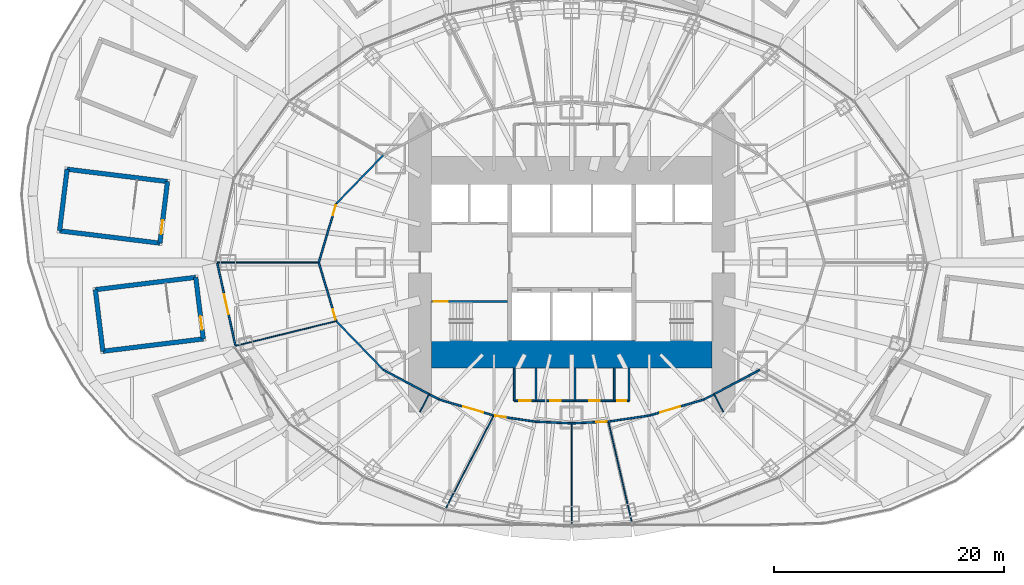
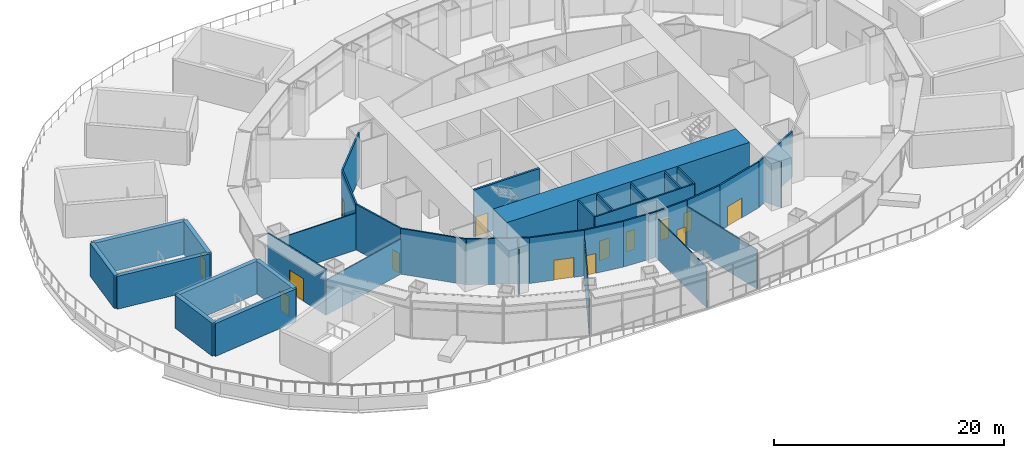
# One storey, part 16 of 25: 36 walls, 14 doors, 14 openings.
"""IFC4 building model written with IfcOpenShell, lengths in metres."""

from ifc_helpers import new_model, si_unit, direction, frame, frame_2d, origin, place, context, subcontext, project, spatial, rectangle, extrude, material, layer, layer_set, type_object, element, fill, save


model = new_model("IFC4")

# Units and contexts
model_context = context("Model", 3, precision=1e-05, world=origin(), true_north=direction((0.0, 1.0)))
body_context = subcontext(model_context, "Body", "Model", "MODEL_VIEW")
ifc_project = project(units=[si_unit("LENGTHUNIT", "METRE"), si_unit("AREAUNIT", "SQUARE_METRE"), si_unit("VOLUMEUNIT", "CUBIC_METRE"), si_unit("PLANEANGLEUNIT", "RADIAN"), si_unit("MASSUNIT", "GRAM", prefix="KILO")], contexts=[model_context])

# Site, building, storey
site_placement = place(None, origin())
site = spatial("IfcSite", under=ifc_project, at=site_placement, CompositionType="ELEMENT")
building_placement = place(site_placement, origin())
building = spatial("IfcBuilding", under=site, at=building_placement, Name="Lantaw Convention Tower", CompositionType="ELEMENT")
storey_placement = place(building_placement, frame((0.0, 0.0, 32.0)))
storey = spatial("IfcBuildingStorey", under=building, at=storey_placement, Name="L05", CompositionType="ELEMENT", Elevation=32.0)

# Wall, opening, door
ifc_material_1 = material(Name="Concrete C60/75", Category="concrete")
ifc_layer_1 = layer(ifc_material_1, 0.199951171875)
ifc_layer_set_1 = layer_set([ifc_layer_1], Name="Core wall 200")
wall_type_1 = type_object("IfcWallType", Name="Core wall 200", PredefinedType="SHEAR", material=ifc_layer_set_1)
wall_1_placement = place(storey_placement, frame((-5.60009765625, -3.39990234375, 0.0), z_axis=(0.0, 0.0, 1.0), x_axis=(-1.0, 0.0, 0.0)))
wall_1 = element("IfcWall", 1, at=wall_1_placement, inside=storey, type_object=wall_type_1, Name="Core wall WS", PredefinedType="SHEAR", context=body_context, shape_type="SweptSolid", body=[
    extrude(rectangle(XDim=6.599853515625, YDim=0.199951171875, at=frame_2d((3.2998046875, 0.0))), origin(), (0.0, 0.0, 1.0), 5.0),
])
opening_1_placement = place(wall_1_placement, frame((5.199951171875, 0.0, 0.0)))
opening_1 = element("IfcOpeningElement", 2, at=opening_1_placement, cuts=wall_1, Name="Opening L05.04", PredefinedType="OPENING", context=body_context, shape_type="SweptSolid", body=[
    extrude(rectangle(XDim=1.199951171875, YDim=2.10009765625, at=frame_2d((0.60009765625, 1.050048828125))), frame((0.0, 0.10986328125, 0.0), z_axis=(0.0, -1.0, 0.0), x_axis=(1.0, 0.0, 0.0)), (0.0, 0.0, 1.0), 0.219970703125),
])
ifc_material_2 = material(Name="Steel, fire rated", Category="steel")
door_type_1 = type_object("IfcDoorType", Name="Stair door FD90", OperationType="SINGLE_SWING_RIGHT", PredefinedType="DOOR", material=ifc_material_2)
door_1_placement = place(opening_1_placement, origin())
door_1 = element("IfcDoor", 3, at=door_1_placement, inside=storey, type_object=door_type_1, Name="Exit stair door", OperationType="SINGLE_SWING_RIGHT", OverallHeight=2.10009765625, OverallWidth=1.199951171875, PredefinedType="DOOR", context=body_context, shape_type="SweptSolid", body=[
    extrude(rectangle(XDim=1.199951171875, YDim=2.10009765625, at=frame_2d((0.60009765625, 1.050048828125))), frame((0.0, 0.02490234375, 0.0), z_axis=(0.0, -1.0, 0.0), x_axis=(1.0, 0.0, 0.0)), (0.0, 0.0, 1.0), 0.050048828125),
])
fill(opening_1, door_1)

# Walls
ifc_layer_2 = layer(ifc_material_1, 2.39990234375)
ifc_layer_set_2 = layer_set([ifc_layer_2], Name="Core wall 2400")
wall_type_2 = type_object("IfcWallType", Name="Core wall 2400", PredefinedType="SHEAR", material=ifc_layer_set_2)
wall_2_placement = place(storey_placement, frame((-12.199951171875, -8.0, 0.0), z_axis=(0.0, 0.0, 1.0), x_axis=(1.0, 0.0, 0.0)))
element("IfcWall", 4, at=wall_2_placement, inside=storey, type_object=wall_type_2, Name="Core wall S", PredefinedType="SHEAR", context=body_context, shape_type="SweptSolid", body=[
    extrude(rectangle(XDim=24.39990234375, YDim=2.39990234375, at=frame_2d((12.199951171875, 0.0))), origin(), (0.0, 0.0, 1.0), 5.0),
])
ifc_material_3 = material(Name="Gypsum board on steel studs, fire rated", Category="steel")
ifc_layer_3 = layer(ifc_material_3, 0.14990234375)
ifc_layer_set_3 = layer_set([ifc_layer_3], Name="Corridor wall 150 EI 60")
wall_type_3 = type_object("IfcWallType", Name="Corridor wall 150 EI 60", PredefinedType="PARTITIONING", material=ifc_layer_set_3)
wall_3_placement = place(storey_placement, frame((-16.369140625, 9.353759765625, 0.0), z_axis=(0.0, 0.0, 1.0), x_axis=(-0.695871090686, -0.71816671125, 0.0)))
element("IfcWall", 5, at=wall_3_placement, inside=storey, type_object=wall_type_3, Name="Corridor wall 150", PredefinedType="PARTITIONING", context=body_context, shape_type="SweptSolid", body=[
    extrude(rectangle(XDim=5.9130859375, YDim=0.14990234375, at=frame_2d((2.95654296875, 0.0))), origin(), (0.0, 0.0, 1.0), 4.85009765625),
])

# Wall, opening, door
wall_4_placement = place(storey_placement, frame((-20.48388671875, 5.107177734375, 0.0), z_axis=(0.0, 0.0, 1.0), x_axis=(-0.284584469409, -0.95865096869, 0.0)))
wall_4 = element("IfcWall", 6, at=wall_4_placement, inside=storey, type_object=wall_type_3, Name="Corridor wall 150", PredefinedType="PARTITIONING", context=body_context, shape_type="SweptSolid", body=[
    extrude(rectangle(XDim=5.327392578125, YDim=0.14990234375, at=frame_2d((2.66357421875, 0.0))), origin(), (0.0, 0.0, 1.0), 4.85009765625),
])
opening_2_placement = place(wall_4_placement, frame((0.14990234375, 0.0, 0.0)))
opening_2 = element("IfcOpeningElement", 7, at=opening_2_placement, cuts=wall_4, Name="Opening L05.28", PredefinedType="OPENING", context=body_context, shape_type="SweptSolid", body=[
    extrude(rectangle(XDim=0.89990234375, YDim=2.10009765625, at=frame_2d((0.449951171875, 1.050048828125))), frame((0.0, 0.0849609375, 0.0), z_axis=(0.0, -1.0, 0.0), x_axis=(1.0, 0.0, 0.0)), (0.0, 0.0, 1.0), 0.169921875),
])
door_type_2 = type_object("IfcDoorType", Name="Office door 900 FD30", OperationType="SINGLE_SWING_LEFT", PredefinedType="DOOR", material=ifc_material_2)
door_2_placement = place(opening_2_placement, origin())
door_2 = element("IfcDoor", 8, at=door_2_placement, inside=storey, type_object=door_type_2, Name="Spa treatment room door", OperationType="SINGLE_SWING_LEFT", OverallHeight=2.10009765625, OverallWidth=0.89990234375, PredefinedType="DOOR", context=body_context, shape_type="SweptSolid", body=[
    extrude(rectangle(XDim=0.89990234375, YDim=2.10009765625, at=frame_2d((0.449951171875, 1.050048828125))), frame((0.0, 0.02490234375, 0.0), z_axis=(0.0, -1.0, 0.0), x_axis=(1.0, 0.0, 0.0)), (0.0, 0.0, 1.0), 0.050048828125),
])
fill(opening_2, door_2)

wall_5_placement = place(storey_placement, frame((-22.0, 0.0, 0.0), z_axis=(0.0, 0.0, 1.0), x_axis=(0.284584469409, -0.95865096869, 0.0)))
wall_5 = element("IfcWall", 9, at=wall_5_placement, inside=storey, type_object=wall_type_3, Name="Corridor wall 150", PredefinedType="PARTITIONING", context=body_context, shape_type="SweptSolid", body=[
    extrude(rectangle(XDim=5.327392578125, YDim=0.14990234375, at=frame_2d((2.66357421875, 0.0))), origin(), (0.0, 0.0, 1.0), 4.85009765625),
])
opening_3_placement = place(wall_5_placement, frame((4.277587890625, 0.0, 0.0)))
opening_3 = element("IfcOpeningElement", 10, at=opening_3_placement, cuts=wall_5, Name="Opening L05.29", PredefinedType="OPENING", context=body_context, shape_type="SweptSolid", body=[
    extrude(rectangle(XDim=0.89990234375, YDim=2.10009765625, at=frame_2d((0.449951171875, 1.050048828125))), frame((0.0, 0.0849609375, 0.0), z_axis=(0.0, -1.0, 0.0), x_axis=(1.0, 0.0, 0.0)), (0.0, 0.0, 1.0), 0.169921875),
])
door_3_placement = place(opening_3_placement, origin())
door_3 = element("IfcDoor", 11, at=door_3_placement, inside=storey, type_object=door_type_2, Name="Garden reading room door", OperationType="SINGLE_SWING_LEFT", OverallHeight=2.10009765625, OverallWidth=0.89990234375, PredefinedType="DOOR", context=body_context, shape_type="SweptSolid", body=[
    extrude(rectangle(XDim=0.89990234375, YDim=2.10009765625, at=frame_2d((0.449951171875, 1.050048828125))), frame((0.0, 0.02490234375, 0.0), z_axis=(0.0, -1.0, 0.0), x_axis=(1.0, 0.0, 0.0)), (0.0, 0.0, 1.0), 0.050048828125),
])
fill(opening_3, door_3)

# Walls
wall_6_placement = place(storey_placement, frame((-20.48388671875, -5.107177734375, 0.0), z_axis=(0.0, 0.0, 1.0), x_axis=(0.695871090686, -0.71816671125, 0.0)))
element("IfcWall", 12, at=wall_6_placement, inside=storey, type_object=wall_type_3, Name="Corridor wall 150", PredefinedType="PARTITIONING", context=body_context, shape_type="SweptSolid", body=[
    extrude(rectangle(XDim=5.9130859375, YDim=0.14990234375, at=frame_2d((2.95654296875, 0.0))), origin(), (0.0, 0.0, 1.0), 4.85009765625),
])
wall_7_placement = place(storey_placement, frame((-16.369140625, -9.353759765625, 0.0), z_axis=(0.0, 0.0, 1.0), x_axis=(0.883334368785, -0.468743419071, 0.0)))
element("IfcWall", 13, at=wall_7_placement, inside=storey, type_object=wall_type_3, Name="Corridor wall 150", PredefinedType="PARTITIONING", context=body_context, shape_type="SweptSolid", body=[
    extrude(rectangle(XDim=5.4912109375, YDim=0.14990234375, at=frame_2d((2.74560546875, 0.0))), origin(), (0.0, 0.0, 1.0), 4.85009765625),
])

# Wall, opening, door
wall_8_placement = place(storey_placement, frame((-11.5185546875, -11.927734375, 0.0), z_axis=(0.0, 0.0, 1.0), x_axis=(0.959496227294, -0.281721475589, 0.0)))
wall_8 = element("IfcWall", 14, at=wall_8_placement, inside=storey, type_object=wall_type_3, Name="Corridor wall 150", PredefinedType="PARTITIONING", context=body_context, shape_type="SweptSolid", body=[
    extrude(rectangle(XDim=4.9326171875, YDim=0.14990234375, at=frame_2d((2.46630859375, 0.0))), origin(), (0.0, 0.0, 1.0), 4.85009765625),
])
opening_4_placement = place(wall_8_placement, frame((2.17333984375, 0.0, 0.0)))
opening_4 = element("IfcOpeningElement", 15, at=opening_4_placement, cuts=wall_8, Name="Opening L05.30", PredefinedType="OPENING", context=body_context, shape_type="SweptSolid", body=[
    extrude(rectangle(XDim=1.800048828125, YDim=2.10009765625, at=frame_2d((0.89990234375, 1.050048828125))), frame((0.0, 0.0849609375, 0.0), z_axis=(0.0, -1.0, 0.0), x_axis=(1.0, 0.0, 0.0)), (0.0, 0.0, 1.0), 0.169921875),
])
door_type_3 = type_object("IfcDoorType", Name="Office double door 1800 FD30", OperationType="DOUBLE_DOOR_DOUBLE_SWING", PredefinedType="DOOR", material=ifc_material_2)
door_4_placement = place(opening_4_placement, origin())
door_4 = element("IfcDoor", 16, at=door_4_placement, inside=storey, type_object=door_type_3, Name="Hotel sales office door", OperationType="DOUBLE_DOOR_DOUBLE_SWING", OverallHeight=2.10009765625, OverallWidth=1.800048828125, PredefinedType="DOOR", context=body_context, shape_type="SweptSolid", body=[
    extrude(rectangle(XDim=1.800048828125, YDim=2.10009765625, at=frame_2d((0.89990234375, 1.050048828125))), frame((0.0, 0.02490234375, 0.0), z_axis=(0.0, -1.0, 0.0), x_axis=(1.0, 0.0, 0.0)), (0.0, 0.0, 1.0), 0.050048828125),
])
fill(opening_4, door_4)

wall_9_placement = place(storey_placement, frame((-6.78564453125, -13.3173828125, 0.0), z_axis=(0.0, 0.0, 1.0), x_axis=(0.989107488999, -0.14719502439, 0.0)))
wall_9 = element("IfcWall", 17, at=wall_9_placement, inside=storey, type_object=wall_type_3, Name="Corridor wall 150", PredefinedType="PARTITIONING", context=body_context, shape_type="SweptSolid", body=[
    extrude(rectangle(XDim=3.62744140625, YDim=0.14990234375, at=frame_2d((1.813720703125, 0.0))), origin(), (0.0, 0.0, 1.0), 4.85009765625),
])
opening_5_placement = place(wall_9_placement, frame((0.14990234375, 0.0, 0.0)))
opening_5 = element("IfcOpeningElement", 18, at=opening_5_placement, cuts=wall_9, Name="Opening L05.31", PredefinedType="OPENING", context=body_context, shape_type="SweptSolid", body=[
    extrude(rectangle(XDim=0.89990234375, YDim=2.10009765625, at=frame_2d((0.449951171875, 1.050048828125))), frame((0.0, 0.0849609375, 0.0), z_axis=(0.0, -1.0, 0.0), x_axis=(1.0, 0.0, 0.0)), (0.0, 0.0, 1.0), 0.169921875),
])
door_5_placement = place(opening_5_placement, origin())
door_5 = element("IfcDoor", 19, at=door_5_placement, inside=storey, type_object=door_type_2, Name="Health club changing room door", OperationType="SINGLE_SWING_LEFT", OverallHeight=2.10009765625, OverallWidth=0.89990234375, PredefinedType="DOOR", context=body_context, shape_type="SweptSolid", body=[
    extrude(rectangle(XDim=0.89990234375, YDim=2.10009765625, at=frame_2d((0.449951171875, 1.050048828125))), frame((0.0, 0.02490234375, 0.0), z_axis=(0.0, -1.0, 0.0), x_axis=(1.0, 0.0, 0.0)), (0.0, 0.0, 1.0), 0.050048828125),
])
fill(opening_5, door_5)

# Wall
wall_10_placement = place(storey_placement, frame((-3.19775390625, -13.851318359375, 0.0), z_axis=(0.0, 0.0, 1.0), x_axis=(0.998920826789, -0.046445471333, 0.0)))
element("IfcWall", 20, at=wall_10_placement, inside=storey, type_object=wall_type_3, Name="Corridor wall 150", PredefinedType="PARTITIONING", context=body_context, shape_type="SweptSolid", body=[
    extrude(rectangle(XDim=3.201171875, YDim=0.14990234375, at=frame_2d((1.6005859375, 0.0))), origin(), (0.0, 0.0, 1.0), 4.85009765625),
])

# Wall, opening, door
wall_11_placement = place(storey_placement, frame((0.0, -14.0, 0.0), z_axis=(0.0, 0.0, 1.0), x_axis=(0.998920826789, 0.046445471333, 0.0)))
wall_11 = element("IfcWall", 21, at=wall_11_placement, inside=storey, type_object=wall_type_3, Name="Corridor wall 150", PredefinedType="PARTITIONING", context=body_context, shape_type="SweptSolid", body=[
    extrude(rectangle(XDim=3.201171875, YDim=0.14990234375, at=frame_2d((1.6005859375, 0.0))), origin(), (0.0, 0.0, 1.0), 4.85009765625),
])
opening_6_placement = place(wall_11_placement, frame((2.1513671875, 0.0, 0.0)))
opening_6 = element("IfcOpeningElement", 22, at=opening_6_placement, cuts=wall_11, Name="Opening L05.32", PredefinedType="OPENING", context=body_context, shape_type="SweptSolid", body=[
    extrude(rectangle(XDim=0.89990234375, YDim=2.10009765625, at=frame_2d((0.449951171875, 1.050048828125))), frame((0.0, 0.0849609375, 0.0), z_axis=(0.0, -1.0, 0.0), x_axis=(1.0, 0.0, 0.0)), (0.0, 0.0, 1.0), 0.169921875),
])
door_6_placement = place(opening_6_placement, origin())
door_6 = element("IfcDoor", 23, at=door_6_placement, inside=storey, type_object=door_type_2, Name="First-aid room door", OperationType="SINGLE_SWING_LEFT", OverallHeight=2.10009765625, OverallWidth=0.89990234375, PredefinedType="DOOR", context=body_context, shape_type="SweptSolid", body=[
    extrude(rectangle(XDim=0.89990234375, YDim=2.10009765625, at=frame_2d((0.449951171875, 1.050048828125))), frame((0.0, 0.02490234375, 0.0), z_axis=(0.0, -1.0, 0.0), x_axis=(1.0, 0.0, 0.0)), (0.0, 0.0, 1.0), 0.050048828125),
])
fill(opening_6, door_6)

# Wall
wall_12_placement = place(storey_placement, frame((3.19775390625, -13.851318359375, 0.0), z_axis=(0.0, 0.0, 1.0), x_axis=(0.989107488999, 0.14719502439, 0.0)))
element("IfcWall", 24, at=wall_12_placement, inside=storey, type_object=wall_type_3, Name="Corridor wall 150", PredefinedType="PARTITIONING", context=body_context, shape_type="SweptSolid", body=[
    extrude(rectangle(XDim=3.62744140625, YDim=0.14990234375, at=frame_2d((1.813720703125, 0.0))), origin(), (0.0, 0.0, 1.0), 4.85009765625),
])

# Wall, opening, door
wall_13_placement = place(storey_placement, frame((6.78564453125, -13.3173828125, 0.0), z_axis=(0.0, 0.0, 1.0), x_axis=(0.959496227294, 0.281721475589, 0.0)))
wall_13 = element("IfcWall", 25, at=wall_13_placement, inside=storey, type_object=wall_type_3, Name="Corridor wall 150", PredefinedType="PARTITIONING", context=body_context, shape_type="SweptSolid", body=[
    extrude(rectangle(XDim=4.9326171875, YDim=0.14990234375, at=frame_2d((2.46630859375, 0.0))), origin(), (0.0, 0.0, 1.0), 4.85009765625),
])
opening_7_placement = place(wall_13_placement, frame((0.95947265625, 0.0, 0.0)))
opening_7 = element("IfcOpeningElement", 26, at=opening_7_placement, cuts=wall_13, Name="Opening L05.33", PredefinedType="OPENING", context=body_context, shape_type="SweptSolid", body=[
    extrude(rectangle(XDim=1.800048828125, YDim=2.10009765625, at=frame_2d((0.89990234375, 1.050048828125))), frame((0.0, 0.0849609375, 0.0), z_axis=(0.0, -1.0, 0.0), x_axis=(1.0, 0.0, 0.0)), (0.0, 0.0, 1.0), 0.169921875),
])
door_7_placement = place(opening_7_placement, origin())
door_7 = element("IfcDoor", 27, at=door_7_placement, inside=storey, type_object=door_type_3, Name="Hotel administration office door", OperationType="DOUBLE_DOOR_DOUBLE_SWING", OverallHeight=2.10009765625, OverallWidth=1.800048828125, PredefinedType="DOOR", context=body_context, shape_type="SweptSolid", body=[
    extrude(rectangle(XDim=1.800048828125, YDim=2.10009765625, at=frame_2d((0.89990234375, 1.050048828125))), frame((0.0, 0.02490234375, 0.0), z_axis=(0.0, -1.0, 0.0), x_axis=(1.0, 0.0, 0.0)), (0.0, 0.0, 1.0), 0.050048828125),
])
fill(opening_7, door_7)

# Wall
wall_14_placement = place(storey_placement, frame((11.5185546875, -11.927734375, 0.0), z_axis=(0.0, 0.0, 1.0), x_axis=(0.883334368785, 0.468743419071, 0.0)))
element("IfcWall", 28, at=wall_14_placement, inside=storey, type_object=wall_type_3, Name="Corridor wall 150", PredefinedType="PARTITIONING", context=body_context, shape_type="SweptSolid", body=[
    extrude(rectangle(XDim=5.4912109375, YDim=0.14990234375, at=frame_2d((2.74560546875, 0.0))), origin(), (0.0, 0.0, 1.0), 4.85009765625),
])

# Wall, opening, door
ifc_material_4 = material(Name="Aluminium framed glazing", Category="aluminium")
ifc_layer_4 = layer(ifc_material_4, 0.14990234375)
ifc_layer_set_4 = layer_set([ifc_layer_4], Name="Glazed entrance screen 150")
wall_type_4 = type_object("IfcWallType", Name="Glazed entrance screen 150", PredefinedType="ELEMENTEDWALL", material=ifc_layer_set_4)
wall_15_placement = place(storey_placement, frame((-30.853515625, 0.0322265625, 0.0), z_axis=(0.0, 0.0, 1.0), x_axis=(0.215234867549, -0.976562313317, 0.0)))
wall_15 = element("IfcWall", 29, at=wall_15_placement, inside=storey, type_object=wall_type_4, Name="Glazed entrance screen", PredefinedType="ELEMENTEDWALL", context=body_context, shape_type="SweptSolid", body=[
    extrude(rectangle(XDim=7.502197265625, YDim=0.14990234375, at=frame_2d((3.7509765625, 0.0))), origin(), (0.0, 0.0, 1.0), 4.85009765625),
])
opening_8_placement = place(wall_15_placement, frame((2.851318359375, 0.0, 0.0)))
opening_8 = element("IfcOpeningElement", 30, at=opening_8_placement, cuts=wall_15, Name="Opening L05.E12", PredefinedType="OPENING", context=body_context, shape_type="SweptSolid", body=[
    extrude(rectangle(XDim=1.800048828125, YDim=2.39990234375, at=frame_2d((0.89990234375, 1.199951171875))), frame((0.0, 0.0849609375, 0.0), z_axis=(0.0, -1.0, 0.0), x_axis=(1.0, 0.0, 0.0)), (0.0, 0.0, 1.0), 0.169921875),
])
ifc_material_5 = material(Name="Aluminium and glass", Category="aluminium")
door_type_4 = type_object("IfcDoorType", Name="Terrace door 1800", OperationType="DOUBLE_DOOR_DOUBLE_SWING", PredefinedType="DOOR", material=ifc_material_5)
door_8_placement = place(opening_8_placement, origin())
door_8 = element("IfcDoor", 31, at=door_8_placement, inside=storey, type_object=door_type_4, Name="Terrace door", OperationType="DOUBLE_DOOR_DOUBLE_SWING", OverallHeight=2.39990234375, OverallWidth=1.800048828125, PredefinedType="DOOR", context=body_context, shape_type="SweptSolid", body=[
    extrude(rectangle(XDim=1.800048828125, YDim=2.39990234375, at=frame_2d((0.89990234375, 1.199951171875))), frame((0.0, 0.02490234375, 0.0), z_axis=(0.0, -1.0, 0.0), x_axis=(1.0, 0.0, 0.0)), (0.0, 0.0, 1.0), 0.050048828125),
])
fill(opening_8, door_8)

# Walls
ifc_material_6 = material(Name="Gypsum board on steel studs, acoustic", Category="steel")
ifc_layer_5 = layer(ifc_material_6, 0.10009765625)
ifc_layer_set_5 = layer_set([ifc_layer_5], Name="Office partition 100")
wall_type_5 = type_object("IfcWallType", Name="Office partition 100", PredefinedType="PARTITIONING", material=ifc_layer_set_5)
wall_16_placement = place(storey_placement, frame((-30.82080078125, 0.0, 0.0), z_axis=(0.0, 0.0, 1.0), x_axis=(1.0, 0.0, 0.0)))
element("IfcWall", 32, at=wall_16_placement, inside=storey, type_object=wall_type_5, Name="Office partition 100", PredefinedType="PARTITIONING", context=body_context, shape_type="SweptSolid", body=[
    extrude(rectangle(XDim=8.82080078125, YDim=0.10009765625, at=frame_2d((4.410400390625, 0.0))), origin(), (0.0, 0.0, 1.0), 3.927978515625),
])
wall_17_placement = place(storey_placement, frame((-29.221923828125, -7.253662109375, 0.0), z_axis=(0.0, 0.0, 1.0), x_axis=(0.971128703136, 0.238556160989, 0.0)))
element("IfcWall", 33, at=wall_17_placement, inside=storey, type_object=wall_type_5, Name="Office partition 100", PredefinedType="PARTITIONING", context=body_context, shape_type="SweptSolid", body=[
    extrude(rectangle(XDim=8.997802734375, YDim=0.10009765625, at=frame_2d((4.4990234375, 0.0))), origin(), (0.0, 0.0, 1.0), 3.732421875),
])
wall_18_placement = place(storey_placement, frame((-10.967041015625, -21.452880859375, 0.0), z_axis=(0.0, 0.0, 1.0), x_axis=(0.457125463925, 0.889402220726, 0.0)))
element("IfcWall", 34, at=wall_18_placement, inside=storey, type_object=wall_type_5, Name="Office partition 100", PredefinedType="PARTITIONING", context=body_context, shape_type="SweptSolid", body=[
    extrude(rectangle(XDim=9.147216796875, YDim=0.10009765625, at=frame_2d((4.57373046875, 0.0))), origin(), (0.0, 0.0, 1.0), 3.927978515625),
])
wall_19_placement = place(storey_placement, frame((0.0, -22.94482421875, 0.0), z_axis=(0.0, 0.0, 1.0), x_axis=(0.0, 1.0, 0.0)))
element("IfcWall", 35, at=wall_19_placement, inside=storey, type_object=wall_type_5, Name="Office partition 100", PredefinedType="PARTITIONING", context=body_context, shape_type="SweptSolid", body=[
    extrude(rectangle(XDim=8.94482421875, YDim=0.10009765625, at=frame_2d((4.472412109375, 0.0))), origin(), (0.0, 0.0, 1.0), 4.32421875),
])
wall_20_placement = place(storey_placement, frame((5.238037109375, -22.61279296875, 0.0), z_axis=(0.0, 0.0, 1.0), x_axis=(-0.226801487876, 0.97394100699, 0.0)))
element("IfcWall", 36, at=wall_20_placement, inside=storey, type_object=wall_type_5, Name="Office partition 100", PredefinedType="PARTITIONING", context=body_context, shape_type="SweptSolid", body=[
    extrude(rectangle(XDim=8.995849609375, YDim=0.10009765625, at=frame_2d((4.498046875, 0.0))), origin(), (0.0, 0.0, 1.0), 4.166748046875),
])
for number, where, z_axis, x_axis, name in (
    (37, (13.199951171875, -13.0, 0.0), (0.0, 0.0, 1.0), (-0.46874717052, 0.88333237806, 0.0), "Office partition 100"),
    (38, (-13.199951171875, -13.0, 0.0), (0.0, 0.0, 1.0), (0.46874717052, 0.88333237806, 0.0), "Office partition 100"),
):
    element("IfcWall", number, at=place(storey_placement, frame(where, z_axis=z_axis, x_axis=x_axis)), inside=storey, type_object=wall_type_5, Name=name, PredefinedType="PARTITIONING", context=body_context, shape_type="SweptSolid", body=[
        extrude(rectangle(XDim=1.7353515625, YDim=0.10009765625, at=frame_2d((0.86767578125, 0.0))), origin(), (0.0, 0.0, 1.0), 4.85009765625),
    ])
ifc_material_7 = material(Name="Concrete C40/50, stair core, rendered", Category="concrete")
ifc_layer_6 = layer(ifc_material_7, 0.39990234375)
ifc_layer_set_6 = layer_set([ifc_layer_6], Name="Stair head-house wall 400 EI 120")
wall_type_6 = type_object("IfcWallType", Name="Stair head-house wall 400 EI 120", PredefinedType="SHEAR", material=ifc_layer_set_6)
wall_21_placement = place(storey_placement, frame((-35.164794921875, 7.037841796875, 0.0), z_axis=(0.0, 0.0, 1.0), x_axis=(-0.992545280606, 0.121876437212, 0.0)))
element("IfcWall", 39, at=wall_21_placement, inside=storey, type_object=wall_type_6, Name="Stair head-house wall", PredefinedType="SHEAR", context=body_context, shape_type="SweptSolid", body=[
    extrude(rectangle(XDim=8.800048828125, YDim=0.39990234375, at=frame_2d((4.39990234375, 0.0))), origin(), (0.0, 0.0, 1.0), 3.5),
])
wall_22_placement = place(storey_placement, frame((-43.899169921875, 8.1103515625, 0.0), z_axis=(0.0, 0.0, 1.0), x_axis=(-0.12184754212, -0.99254882826, 0.0)))
element("IfcWall", 40, at=wall_22_placement, inside=storey, type_object=wall_type_6, Name="Stair head-house wall", PredefinedType="SHEAR", context=body_context, shape_type="SweptSolid", body=[
    extrude(rectangle(XDim=5.39990234375, YDim=0.39990234375, at=frame_2d((2.699951171875, 0.0))), origin(), (0.0, 0.0, 1.0), 3.5),
])
wall_23_placement = place(storey_placement, frame((-44.55712890625, 2.750732421875, 0.0), z_axis=(0.0, 0.0, 1.0), x_axis=(0.992545280606, -0.121876437212, 0.0)))
element("IfcWall", 41, at=wall_23_placement, inside=storey, type_object=wall_type_6, Name="Stair head-house wall", PredefinedType="SHEAR", context=body_context, shape_type="SweptSolid", body=[
    extrude(rectangle(XDim=8.800048828125, YDim=0.39990234375, at=frame_2d((4.39990234375, 0.0))), origin(), (0.0, 0.0, 1.0), 3.5),
])

# Wall, opening, door
wall_24_placement = place(storey_placement, frame((-35.82275390625, 1.67822265625, 0.0), z_axis=(0.0, 0.0, 1.0), x_axis=(0.12184754212, 0.99254882826, 0.0)))
wall_24 = element("IfcWall", 42, at=wall_24_placement, inside=storey, type_object=wall_type_6, Name="Stair head-house wall", PredefinedType="SHEAR", context=body_context, shape_type="SweptSolid", body=[
    extrude(rectangle(XDim=5.39990234375, YDim=0.39990234375, at=frame_2d((2.699951171875, 0.0))), origin(), (0.0, 0.0, 1.0), 3.5),
])
opening_9_placement = place(wall_24_placement, frame((0.800048828125, 0.0, 0.0)))
opening_9 = element("IfcOpeningElement", 43, at=opening_9_placement, cuts=wall_24, Name="Opening L05.P9", PredefinedType="OPENING", context=body_context, shape_type="SweptSolid", body=[
    extrude(rectangle(XDim=1.199951171875, YDim=2.10009765625, at=frame_2d((0.60009765625, 1.050048828125))), frame((0.0, 0.2099609375, 0.0), z_axis=(0.0, -1.0, 0.0), x_axis=(1.0, 0.0, 0.0)), (0.0, 0.0, 1.0), 0.419921875),
])
door_type_5 = type_object("IfcDoorType", Name="Exit door 1200", OperationType="SINGLE_SWING_RIGHT", PredefinedType="DOOR", material=ifc_material_5)
door_9_placement = place(opening_9_placement, origin())
door_9 = element("IfcDoor", 44, at=door_9_placement, inside=storey, type_object=door_type_5, Name="Stair door to terrace", OperationType="SINGLE_SWING_RIGHT", OverallHeight=2.10009765625, OverallWidth=1.199951171875, PredefinedType="DOOR", context=body_context, shape_type="SweptSolid", body=[
    extrude(rectangle(XDim=1.199951171875, YDim=2.10009765625, at=frame_2d((0.60009765625, 1.050048828125))), frame((0.0, 0.02490234375, 0.0), z_axis=(0.0, -1.0, 0.0), x_axis=(1.0, 0.0, 0.0)), (0.0, 0.0, 1.0), 0.050048828125),
])
fill(opening_9, door_9)

# Walls
wall_25_placement = place(storey_placement, frame((-32.70849609375, -1.2958984375, 0.0), z_axis=(0.0, 0.0, 1.0), x_axis=(-0.992545692684, -0.121873081252, 0.0)))
element("IfcWall", 45, at=wall_25_placement, inside=storey, type_object=wall_type_6, Name="Stair head-house wall", PredefinedType="SHEAR", context=body_context, shape_type="SweptSolid", body=[
    extrude(rectangle(XDim=8.80029296875, YDim=0.39990234375, at=frame_2d((4.400146484375, 0.0))), origin(), (0.0, 0.0, 1.0), 3.5),
])
wall_26_placement = place(storey_placement, frame((-41.443115234375, -2.368408203125, 0.0), z_axis=(0.0, 0.0, 1.0), x_axis=(0.121892082937, -0.992543359314, 0.0)))
element("IfcWall", 46, at=wall_26_placement, inside=storey, type_object=wall_type_6, Name="Stair head-house wall", PredefinedType="SHEAR", context=body_context, shape_type="SweptSolid", body=[
    extrude(rectangle(XDim=5.39990234375, YDim=0.39990234375, at=frame_2d((2.699951171875, 0.0))), origin(), (0.0, 0.0, 1.0), 3.5),
])
wall_27_placement = place(storey_placement, frame((-40.784912109375, -7.72802734375, 0.0), z_axis=(0.0, 0.0, 1.0), x_axis=(0.992545280606, 0.121876437212, 0.0)))
element("IfcWall", 47, at=wall_27_placement, inside=storey, type_object=wall_type_6, Name="Stair head-house wall", PredefinedType="SHEAR", context=body_context, shape_type="SweptSolid", body=[
    extrude(rectangle(XDim=8.800048828125, YDim=0.39990234375, at=frame_2d((4.39990234375, 0.0))), origin(), (0.0, 0.0, 1.0), 3.5),
])

# Wall, opening, door
wall_28_placement = place(storey_placement, frame((-32.050537109375, -6.655517578125, 0.0), z_axis=(0.0, 0.0, 1.0), x_axis=(-0.12184754212, 0.99254882826, 0.0)))
wall_28 = element("IfcWall", 48, at=wall_28_placement, inside=storey, type_object=wall_type_6, Name="Stair head-house wall", PredefinedType="SHEAR", context=body_context, shape_type="SweptSolid", body=[
    extrude(rectangle(XDim=5.39990234375, YDim=0.39990234375, at=frame_2d((2.699951171875, 0.0))), origin(), (0.0, 0.0, 1.0), 3.5),
])
opening_10_placement = place(wall_28_placement, frame((0.800048828125, 0.0, 0.0)))
opening_10 = element("IfcOpeningElement", 49, at=opening_10_placement, cuts=wall_28, Name="Opening L05.P10", PredefinedType="OPENING", context=body_context, shape_type="SweptSolid", body=[
    extrude(rectangle(XDim=1.199951171875, YDim=2.10009765625, at=frame_2d((0.60009765625, 1.050048828125))), frame((0.0, 0.2099609375, 0.0), z_axis=(0.0, -1.0, 0.0), x_axis=(1.0, 0.0, 0.0)), (0.0, 0.0, 1.0), 0.419921875),
])
door_10_placement = place(opening_10_placement, origin())
door_10 = element("IfcDoor", 50, at=door_10_placement, inside=storey, type_object=door_type_5, Name="Stair door to terrace", OperationType="SINGLE_SWING_RIGHT", OverallHeight=2.10009765625, OverallWidth=1.199951171875, PredefinedType="DOOR", context=body_context, shape_type="SweptSolid", body=[
    extrude(rectangle(XDim=1.199951171875, YDim=2.10009765625, at=frame_2d((0.60009765625, 1.050048828125))), frame((0.0, 0.02490234375, 0.0), z_axis=(0.0, -1.0, 0.0), x_axis=(1.0, 0.0, 0.0)), (0.0, 0.0, 1.0), 0.050048828125),
])
fill(opening_10, door_10)

# Wall, openings, doors
ifc_material_8 = material(Name="Concrete blockwork", Category="masonry")
ifc_layer_7 = layer(ifc_material_8, 0.14990234375)
ifc_layer_set_7 = layer_set([ifc_layer_7], Name="WC wall 150")
wall_type_7 = type_object("IfcWallType", Name="WC wall 150", PredefinedType="SOLIDWALL", material=ifc_layer_set_7)
wall_29_placement = place(storey_placement, frame((-5.0, -12.033935546875, 0.0), z_axis=(0.0, 0.0, 1.0), x_axis=(1.0, 0.0, 0.0)))
wall_29 = element("IfcWall", 51, at=wall_29_placement, inside=storey, type_object=wall_type_7, Name="WC wall 150", PredefinedType="SOLIDWALL", context=body_context, shape_type="SweptSolid", body=[
    extrude(rectangle(XDim=10.0, YDim=0.14990234375, at=frame_2d((5.0, 0.0))), origin(), (0.0, 0.0, 1.0), 4.85009765625),
])
opening_11_placement = place(wall_29_placement, frame((0.449951171875, 0.0, 0.0)))
opening_11 = element("IfcOpeningElement", 52, at=opening_11_placement, cuts=wall_29, Name="Opening L05.18", PredefinedType="OPENING", context=body_context, shape_type="SweptSolid", body=[
    extrude(rectangle(XDim=1.0, YDim=2.10009765625, at=frame_2d((0.5, 1.050048828125))), frame((0.0, 0.0849609375, 0.0), z_axis=(0.0, -1.0, 0.0), x_axis=(1.0, 0.0, 0.0)), (0.0, 0.0, 1.0), 0.169921875),
])
opening_12_placement = place(wall_29_placement, frame((3.14990234375, 0.0, 0.0)))
opening_12 = element("IfcOpeningElement", 53, at=opening_12_placement, cuts=wall_29, Name="Opening L05.19", PredefinedType="OPENING", context=body_context, shape_type="SweptSolid", body=[
    extrude(rectangle(XDim=0.89990234375, YDim=2.10009765625, at=frame_2d((0.449951171875, 1.050048828125))), frame((0.0, 0.0849609375, 0.0), z_axis=(0.0, -1.0, 0.0), x_axis=(1.0, 0.0, 0.0)), (0.0, 0.0, 1.0), 0.169921875),
])
opening_13_placement = place(wall_29_placement, frame((6.550048828125, 0.0, 0.0)))
opening_13 = element("IfcOpeningElement", 54, at=opening_13_placement, cuts=wall_29, Name="Opening L05.20", PredefinedType="OPENING", context=body_context, shape_type="SweptSolid", body=[
    extrude(rectangle(XDim=0.89990234375, YDim=2.10009765625, at=frame_2d((0.449951171875, 1.050048828125))), frame((0.0, 0.0849609375, 0.0), z_axis=(0.0, -1.0, 0.0), x_axis=(1.0, 0.0, 0.0)), (0.0, 0.0, 1.0), 0.169921875),
])
opening_14_placement = place(wall_29_placement, frame((8.949951171875, 0.0, 0.0)))
opening_14 = element("IfcOpeningElement", 55, at=opening_14_placement, cuts=wall_29, Name="Opening L05.21", PredefinedType="OPENING", context=body_context, shape_type="SweptSolid", body=[
    extrude(rectangle(XDim=0.800048828125, YDim=2.10009765625, at=frame_2d((0.39990234375, 1.050048828125))), frame((0.0, 0.0849609375, 0.0), z_axis=(0.0, -1.0, 0.0), x_axis=(1.0, 0.0, 0.0)), (0.0, 0.0, 1.0), 0.169921875),
])
ifc_material_9 = material(Name="Timber", Category="wood")
door_type_6 = type_object("IfcDoorType", Name="Accessible WC door 1000", OperationType="SINGLE_SWING_LEFT", PredefinedType="DOOR", material=ifc_material_9)
door_11_placement = place(opening_11_placement, origin())
door_11 = element("IfcDoor", 56, at=door_11_placement, inside=storey, type_object=door_type_6, Name="Accessible WC door", OperationType="SINGLE_SWING_LEFT", OverallHeight=2.10009765625, OverallWidth=1.0, PredefinedType="DOOR", context=body_context, shape_type="SweptSolid", body=[
    extrude(rectangle(XDim=1.0, YDim=2.10009765625, at=frame_2d((0.5, 1.050048828125))), frame((0.0, 0.02490234375, 0.0), z_axis=(0.0, -1.0, 0.0), x_axis=(1.0, 0.0, 0.0)), (0.0, 0.0, 1.0), 0.050048828125),
])
fill(opening_11, door_11)
door_type_7 = type_object("IfcDoorType", Name="WC door 800", OperationType="SINGLE_SWING_LEFT", PredefinedType="DOOR", material=ifc_material_9)
door_12_placement = place(opening_14_placement, origin())
door_12 = element("IfcDoor", 57, at=door_12_placement, inside=storey, type_object=door_type_7, Name="Pantry door", OperationType="SINGLE_SWING_LEFT", OverallHeight=2.10009765625, OverallWidth=0.800048828125, PredefinedType="DOOR", context=body_context, shape_type="SweptSolid", body=[
    extrude(rectangle(XDim=0.800048828125, YDim=2.10009765625, at=frame_2d((0.39990234375, 1.050048828125))), frame((0.0, 0.02490234375, 0.0), z_axis=(0.0, -1.0, 0.0), x_axis=(1.0, 0.0, 0.0)), (0.0, 0.0, 1.0), 0.050048828125),
])
fill(opening_14, door_12)
door_type_8 = type_object("IfcDoorType", Name="WC door 900", OperationType="SINGLE_SWING_LEFT", PredefinedType="DOOR", material=ifc_material_9)
door_13_placement = place(opening_12_placement, origin())
door_13 = element("IfcDoor", 58, at=door_13_placement, inside=storey, type_object=door_type_8, Name="Male WC door", OperationType="SINGLE_SWING_LEFT", OverallHeight=2.10009765625, OverallWidth=0.89990234375, PredefinedType="DOOR", context=body_context, shape_type="SweptSolid", body=[
    extrude(rectangle(XDim=0.89990234375, YDim=2.10009765625, at=frame_2d((0.449951171875, 1.050048828125))), frame((0.0, 0.02490234375, 0.0), z_axis=(0.0, -1.0, 0.0), x_axis=(1.0, 0.0, 0.0)), (0.0, 0.0, 1.0), 0.050048828125),
])
fill(opening_12, door_13)
door_14_placement = place(opening_13_placement, origin())
door_14 = element("IfcDoor", 59, at=door_14_placement, inside=storey, type_object=door_type_8, Name="Female WC door", OperationType="SINGLE_SWING_LEFT", OverallHeight=2.10009765625, OverallWidth=0.89990234375, PredefinedType="DOOR", context=body_context, shape_type="SweptSolid", body=[
    extrude(rectangle(XDim=0.89990234375, YDim=2.10009765625, at=frame_2d((0.449951171875, 1.050048828125))), frame((0.0, 0.02490234375, 0.0), z_axis=(0.0, -1.0, 0.0), x_axis=(1.0, 0.0, 0.0)), (0.0, 0.0, 1.0), 0.050048828125),
])
fill(opening_13, door_14)

# Walls
for number, where, z_axis, x_axis, name in (
    (60, (-5.0, -9.199951171875, 0.0), (0.0, 0.0, 1.0), (0.0, -1.0, 0.0), "WC wall 150"),
    (61, (5.0, -9.199951171875, 0.0), (0.0, 0.0, 1.0), (0.0, -1.0, 0.0), "WC wall 150"),
    (62, (-3.10009765625, -9.199951171875, 0.0), (0.0, 0.0, 1.0), (0.0, -1.0, 0.0), "WC wall 150"),
    (63, (0.300048828125, -9.199951171875, 0.0), (0.0, 0.0, 1.0), (0.0, -1.0, 0.0), "WC wall 150"),
    (64, (3.699951171875, -9.199951171875, 0.0), (0.0, 0.0, 1.0), (0.0, -1.0, 0.0), "WC wall 150"),
):
    element("IfcWall", number, at=place(storey_placement, frame(where, z_axis=z_axis, x_axis=x_axis)), inside=storey, type_object=wall_type_7, Name=name, PredefinedType="SOLIDWALL", context=body_context, shape_type="SweptSolid", body=[
        extrude(rectangle(XDim=2.833984375, YDim=0.14990234375, at=frame_2d((1.4169921875, 0.0))), origin(), (0.0, 0.0, 1.0), 4.85009765625),
    ])

save(model, "model.ifc")
